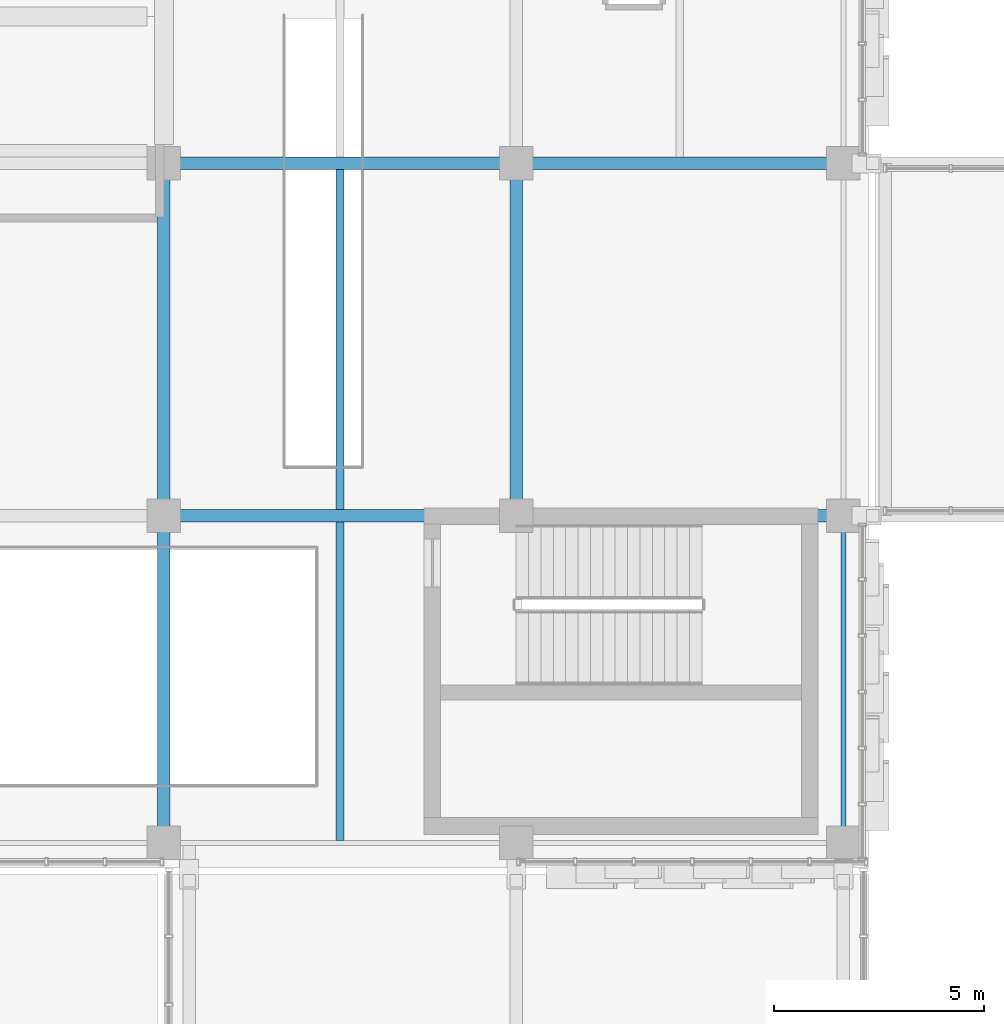
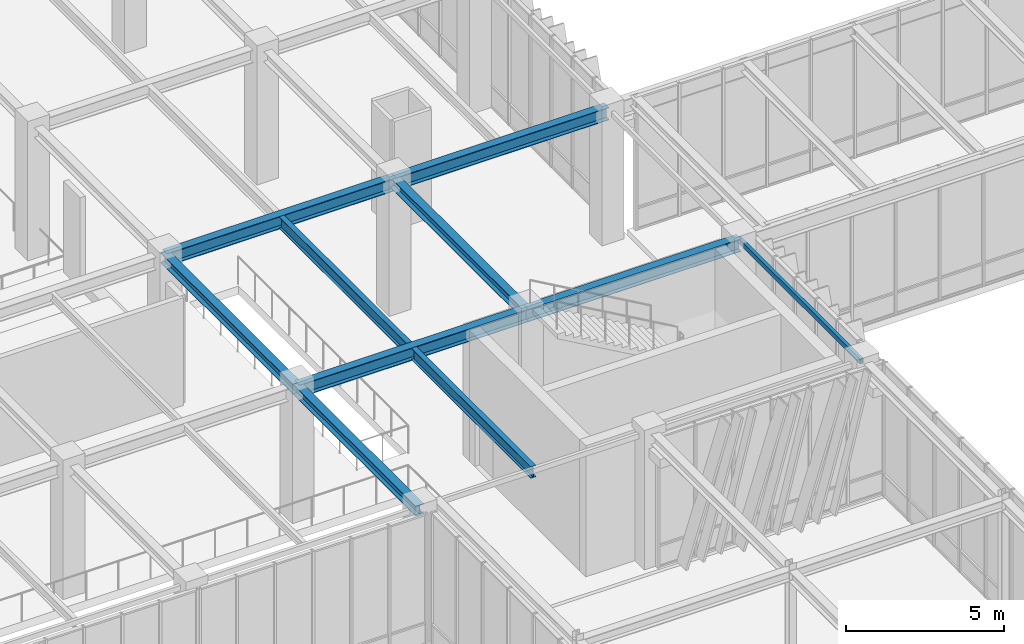
# One storey, part 55 of 139: 10 beams.
"""IFC4 building model written with IfcOpenShell, lengths in metres."""

from ifc_helpers import new_model, si_unit, direction, frame, origin, origin_2d, place, context, subcontext, project, spatial, hollow_rectangle, i_section, extrude, material, material_profile, profile_set, type_object, element, save


model = new_model("IFC4")

# Units and contexts
model_context = context("Model", 3, precision=1e-05, world=origin(), true_north=direction((0.0, 1.0)))
body_context = subcontext(model_context, "Body", "Model", "MODEL_VIEW")
ifc_project = project(units=[si_unit("LENGTHUNIT", "METRE"), si_unit("AREAUNIT", "SQUARE_METRE"), si_unit("VOLUMEUNIT", "CUBIC_METRE"), si_unit("PLANEANGLEUNIT", "RADIAN"), si_unit("MASSUNIT", "GRAM", prefix="KILO")], contexts=[model_context])

# Site, building, storey
site_placement = place(None, origin())
site = spatial("IfcSite", under=ifc_project, at=site_placement, CompositionType="ELEMENT")
building_placement = place(site_placement, origin())
building = spatial("IfcBuilding", under=site, at=building_placement, Name="Zayran Congress Hotel", CompositionType="ELEMENT")
storey_placement = place(building_placement, frame((0.0, 0.0, 5.39990234375)))
storey = spatial("IfcBuildingStorey", under=building, at=storey_placement, Name="L01", CompositionType="ELEMENT", Elevation=5.39990234375)

# Beams
ifc_material = material(Name="Steel S355", Category="steel")
ifc_material_profile_1 = material_profile(ifc_material, i_section(OverallWidth=0.300048828125, OverallDepth=0.489990234375, WebThickness=0.011962890625, FlangeThickness=0.02294921875, at=origin_2d()), Name="HEA 500")
ifc_profile_set_1 = profile_set([ifc_material_profile_1], Name="Steel S355")
beam_type_1 = type_object("IfcBeamType", Name="TP-BM-05", PredefinedType="BEAM", material=ifc_profile_set_1)
beam_1_placement = place(storey_placement, frame((75.60009765625, 76.0, 4.835205078125), z_axis=(1.0, 0.0, 0.0), x_axis=(0.0, 1.0, 0.0)))
element("IfcBeam", 1, at=beam_1_placement, inside=storey, type_object=beam_type_1, Name="BM-V1-L01-0531", PredefinedType="BEAM", context=body_context, shape_type="SweptSolid", body=[
    extrude(i_section(OverallWidth=0.300048828125, OverallDepth=0.489990234375, WebThickness=0.011962890625, FlangeThickness=0.02294921875, at=origin_2d()), origin(), (0.0, 0.0, 1.0), 8.39990234375),
])
beam_2_placement = place(storey_placement, frame((84.0, 76.0, 4.835205078125), z_axis=(1.0, 0.0, 0.0), x_axis=(0.0, 1.0, 0.0)))
element("IfcBeam", 2, at=beam_2_placement, inside=storey, type_object=beam_type_1, Name="BM-V1-L01-0532", PredefinedType="BEAM", context=body_context, shape_type="SweptSolid", body=[
    extrude(i_section(OverallWidth=0.300048828125, OverallDepth=0.489990234375, WebThickness=0.011962890625, FlangeThickness=0.02294921875, at=origin_2d()), origin(), (0.0, 0.0, 1.0), 7.800048828125),
])
beam_3_placement = place(storey_placement, frame((75.60009765625, 84.39990234375, 4.835205078125), z_axis=(1.0, 0.0, 0.0), x_axis=(0.0, 1.0, 0.0)))
element("IfcBeam", 3, at=beam_3_placement, inside=storey, type_object=beam_type_1, Name="BM-V1-L01-0541", PredefinedType="BEAM", context=body_context, shape_type="SweptSolid", body=[
    extrude(i_section(OverallWidth=0.300048828125, OverallDepth=0.489990234375, WebThickness=0.011962890625, FlangeThickness=0.02294921875, at=origin_2d()), origin(), (0.0, 0.0, 1.0), 8.39990234375),
])
beam_4_placement = place(storey_placement, frame((84.0, 84.39990234375, 4.835205078125), z_axis=(1.0, 0.0, 0.0), x_axis=(0.0, 1.0, 0.0)))
element("IfcBeam", 4, at=beam_4_placement, inside=storey, type_object=beam_type_1, Name="BM-V1-L01-0542", PredefinedType="BEAM", context=body_context, shape_type="SweptSolid", body=[
    extrude(i_section(OverallWidth=0.300048828125, OverallDepth=0.489990234375, WebThickness=0.011962890625, FlangeThickness=0.02294921875, at=origin_2d()), origin(), (0.0, 0.0, 1.0), 7.800048828125),
])
ifc_material_profile_2 = material_profile(ifc_material, i_section(OverallWidth=0.300048828125, OverallDepth=0.389892578125, WebThickness=0.010986328125, FlangeThickness=0.01904296875, at=origin_2d()), Name="HEA 400")
ifc_profile_set_2 = profile_set([ifc_material_profile_2], Name="Steel S355")
beam_type_2 = type_object("IfcBeamType", Name="TP-BM-06", PredefinedType="BEAM", material=ifc_profile_set_2)
beam_5_placement = place(storey_placement, frame((75.60009765625, 68.199951171875, 4.885009765625), z_axis=(0.0, 1.0, 0.0), x_axis=(-1.0, 0.0, 0.0)))
element("IfcBeam", 5, at=beam_5_placement, inside=storey, type_object=beam_type_2, Name="BM-V1-L01-0602", PredefinedType="BEAM", context=body_context, shape_type="SweptSolid", body=[
    extrude(i_section(OverallWidth=0.300048828125, OverallDepth=0.389892578125, WebThickness=0.010986328125, FlangeThickness=0.01904296875, at=origin_2d()), origin(), (0.0, 0.0, 1.0), 7.800048828125),
])
for number, where, z_axis, x_axis, name in (
    (6, (75.60009765625, 76.0, 4.885009765625), (0.0, 1.0, 0.0), (-1.0, 0.0, 0.0), "BM-V1-L01-0603"),
    (7, (84.0, 76.0, 4.885009765625), (0.0, 1.0, 0.0), (-1.0, 0.0, 0.0), "BM-V1-L01-0608"),
):
    element("IfcBeam", number, at=place(storey_placement, frame(where, z_axis=z_axis, x_axis=x_axis)), inside=storey, type_object=beam_type_2, Name=name, PredefinedType="BEAM", context=body_context, shape_type="SweptSolid", body=[
        extrude(i_section(OverallWidth=0.300048828125, OverallDepth=0.389892578125, WebThickness=0.010986328125, FlangeThickness=0.01904296875, at=origin_2d()), origin(), (0.0, 0.0, 1.0), 8.39990234375),
    ])
ifc_material_profile_3 = material_profile(ifc_material, i_section(OverallWidth=0.18994140625, OverallDepth=0.449951171875, WebThickness=0.009521484375, FlangeThickness=0.0146484375, at=origin_2d()), Name="IPE 450")
ifc_profile_set_3 = profile_set([ifc_material_profile_3], Name="Steel S355")
beam_type_3 = type_object("IfcBeamType", Name="TP-JS-02", PredefinedType="JOIST", material=ifc_profile_set_3)
beam_6_placement = place(storey_placement, frame((79.800048828125, 68.260009765625, 4.85498046875), z_axis=(0.0, 1.0, 0.0), x_axis=(-1.0, 0.0, 0.0)))
element("IfcBeam", 8, at=beam_6_placement, inside=storey, type_object=beam_type_3, Name="JST-V1-L01-0644", PredefinedType="JOIST", context=body_context, shape_type="SweptSolid", body=[
    extrude(i_section(OverallWidth=0.18994140625, OverallDepth=0.449951171875, WebThickness=0.009521484375, FlangeThickness=0.0146484375, at=origin_2d()), origin(), (0.0, 0.0, 1.0), 7.590087890625),
])
beam_7_placement = place(storey_placement, frame((79.800048828125, 76.14990234375, 4.85498046875), z_axis=(0.0, 1.0, 0.0), x_axis=(-1.0, 0.0, 0.0)))
element("IfcBeam", 9, at=beam_7_placement, inside=storey, type_object=beam_type_3, Name="JST-V1-L01-0645", PredefinedType="JOIST", context=body_context, shape_type="SweptSolid", body=[
    extrude(i_section(OverallWidth=0.18994140625, OverallDepth=0.449951171875, WebThickness=0.009521484375, FlangeThickness=0.0146484375, at=origin_2d()), origin(), (0.0, 0.0, 1.0), 8.10009765625),
])
ifc_material_profile_4 = material_profile(ifc_material, hollow_rectangle(XDim=0.1201171875, YDim=0.199951171875, WallThickness=0.008056640625, at=origin_2d()), Name="RHS 200x120x8")
ifc_profile_set_4 = profile_set([ifc_material_profile_4], Name="Steel S355")
beam_type_4 = type_object("IfcBeamType", Name="TP-SP-02", PredefinedType="SPANDREL", material=ifc_profile_set_4)
beam_8_placement = place(storey_placement, frame((91.800048828125, 68.199951171875, 4.97998046875), z_axis=(0.0, 1.0, 0.0), x_axis=(-1.0, 0.0, 0.0)))
element("IfcBeam", 10, at=beam_8_placement, inside=storey, type_object=beam_type_4, Name="BM-V1-L01-0612", PredefinedType="SPANDREL", context=body_context, shape_type="SweptSolid", body=[
    extrude(hollow_rectangle(XDim=0.1201171875, YDim=0.199951171875, WallThickness=0.008056640625, at=origin_2d()), origin(), (0.0, 0.0, 1.0), 7.800048828125),
])

save(model, "model.ifc")
